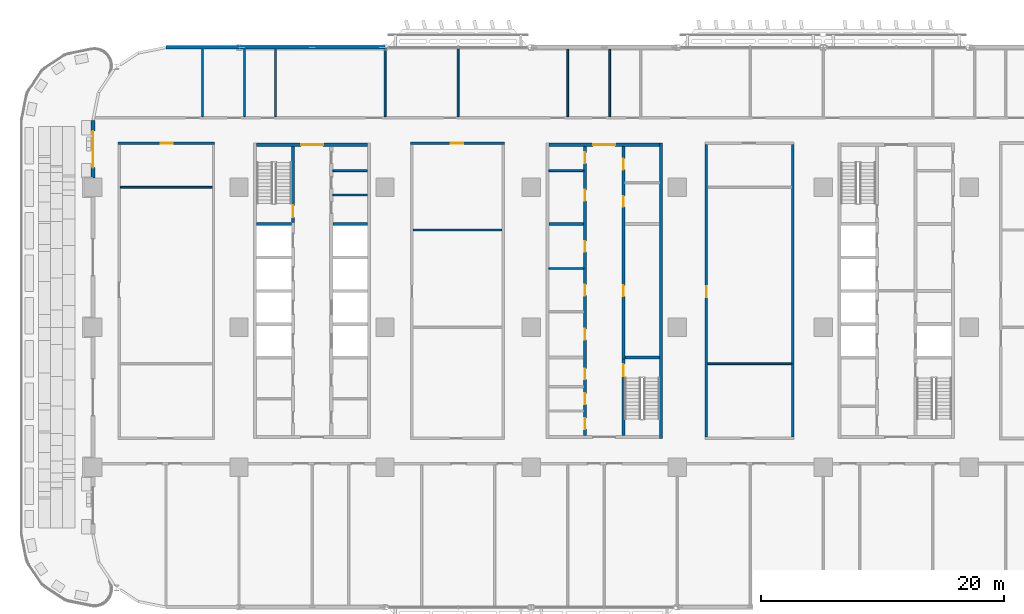
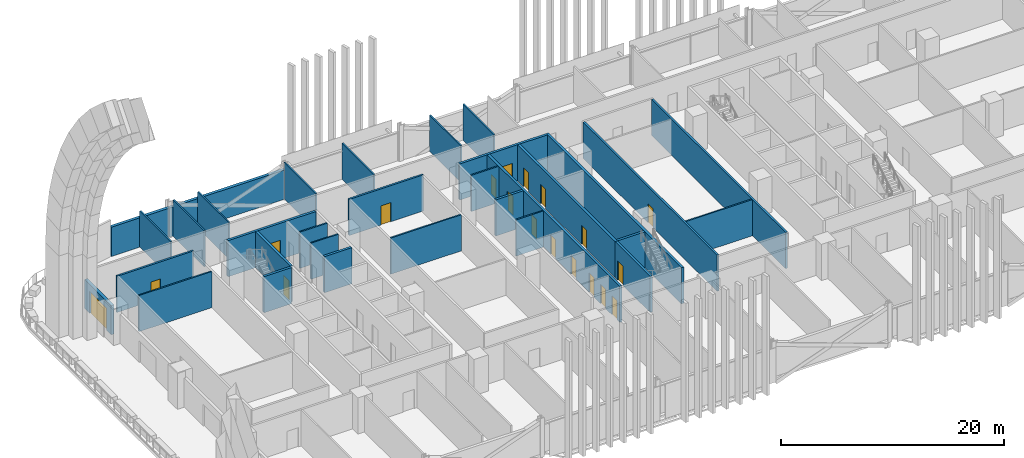
# One storey, part 11 of 29: 32 walls, 19 doors, 19 openings.
"""IFC4 building model written with IfcOpenShell, lengths in metres."""

from ifc_helpers import new_model, si_unit, direction, frame, frame_2d, origin, place, context, subcontext, project, spatial, rectangle, extrude, material, layer, layer_set, type_object, element, fill, save


model = new_model("IFC4")

# Units and contexts
model_context = context("Model", 3, precision=1e-05, world=origin(), true_north=direction((0.0, 1.0)))
body_context = subcontext(model_context, "Body", "Model", "MODEL_VIEW")
ifc_project = project(units=[si_unit("LENGTHUNIT", "METRE"), si_unit("AREAUNIT", "SQUARE_METRE"), si_unit("VOLUMEUNIT", "CUBIC_METRE"), si_unit("PLANEANGLEUNIT", "RADIAN"), si_unit("MASSUNIT", "GRAM", prefix="KILO")], contexts=[model_context])

# Site, building, storey
site_placement = place(None, origin())
site = spatial("IfcSite", under=ifc_project, at=site_placement, CompositionType="ELEMENT")
building_placement = place(site_placement, origin())
building = spatial("IfcBuilding", under=site, at=building_placement, Name="Mahtab Terrace Research Tower", CompositionType="ELEMENT")
storey_placement = place(building_placement, frame((0.0, 0.0, 46.0)))
storey = spatial("IfcBuildingStorey", under=building, at=storey_placement, Name="L10", CompositionType="ELEMENT", Elevation=46.0)

# Walls
ifc_material_1 = material(Name="Gypsum board partition")
ifc_layer_1 = layer(ifc_material_1, 0.14990234375)
ifc_layer_set_1 = layer_set([ifc_layer_1], Name="Core partition 150")
wall_type_1 = type_object("IfcWallType", Name="Core partition 150", PredefinedType="PARTITIONING", material=ifc_layer_set_1)
for number, where, z_axis, x_axis, name in (
    (1, (-22.300048828125, 10.875, 0.0), (0.0, 0.0, 1.0), (1.0, 0.0, 0.0), "Core wall A pEN788"),
    (2, (-22.300048828125, 12.875, 0.0), (0.0, 0.0, 1.0), (1.0, 0.0, 0.0), "Core wall A pEN988"),
    (3, (-4.550048828125, 4.827392578125, 0.0), (0.0, 0.0, 1.0), (1.0, 0.0, 0.0), "Core wall B pWL183"),
    (4, (-4.550048828125, 12.875, 0.0), (0.0, 0.0, 1.0), (1.0, 0.0, 0.0), "Core wall B pWN988"),
):
    element("IfcWall", number, at=place(storey_placement, frame(where, z_axis=z_axis, x_axis=x_axis)), inside=storey, type_object=wall_type_1, Name=name, PredefinedType="PARTITIONING", context=body_context, shape_type="SweptSolid", body=[
        extrude(rectangle(XDim=2.85009765625, YDim=0.14990234375, at=frame_2d((1.425048828125, 0.0))), origin(), (0.0, 0.0, 1.0), 3.9599609375),
    ])

# Wall, opening, door
ifc_material_2 = material(Name="Concrete C70/85", Category="concrete")
ifc_layer_2 = layer(ifc_material_2, 0.25)
ifc_layer_set_2 = layer_set([ifc_layer_2], Name="Core wall 250")
wall_type_2 = type_object("IfcWallType", Name="Core wall 250", PredefinedType="SOLIDWALL", material=ifc_layer_set_2)
wall_1_placement = place(storey_placement, frame((-28.550048828125, 15.0, 0.0), z_axis=(0.0, 0.0, 1.0), x_axis=(1.0, 0.0, 0.0)))
wall_1 = element("IfcWall", 5, at=wall_1_placement, inside=storey, type_object=wall_type_2, Name="Core wall A endN", PredefinedType="SOLIDWALL", context=body_context, shape_type="SweptSolid", body=[
    extrude(rectangle(XDim=9.10009765625, YDim=0.25, at=frame_2d((4.550048828125, 0.0))), origin(), (0.0, 0.0, 1.0), 3.9599609375),
])
opening_1_placement = place(wall_1_placement, frame((3.64990234375, 0.0, 0.0)))
opening_1 = element("IfcOpeningElement", 6, at=opening_1_placement, cuts=wall_1, Name="Opening A-N1", PredefinedType="OPENING", context=body_context, shape_type="SweptSolid", body=[
    extrude(rectangle(XDim=1.800048828125, YDim=2.10009765625, at=frame_2d((0.89990234375, 1.050048828125))), frame((0.0, 0.135009765625, 0.0), z_axis=(0.0, -1.0, 0.0), x_axis=(1.0, 0.0, 0.0)), (0.0, 0.0, 1.0), 0.27001953125),
])
ifc_material_3 = material(Name="Steel fire door", Category="steel")
door_type_1 = type_object("IfcDoorType", Name="Lobby double door 1800x2100 1 HR", OperationType="DOUBLE_DOOR_SINGLE_SWING", PredefinedType="DOOR", material=ifc_material_3)
door_1_placement = place(opening_1_placement, origin())
door_1 = element("IfcDoor", 7, at=door_1_placement, inside=storey, type_object=door_type_1, Name="Core entrance door A N", OperationType="DOUBLE_DOOR_SINGLE_SWING", OverallHeight=2.10009765625, OverallWidth=1.800048828125, PredefinedType="DOOR", context=body_context, shape_type="SweptSolid", body=[
    extrude(rectangle(XDim=1.800048828125, YDim=2.10009765625, at=frame_2d((0.89990234375, 1.050048828125))), frame((0.0, 0.02490234375, 0.0), z_axis=(0.0, -1.0, 0.0), x_axis=(1.0, 0.0, 0.0)), (0.0, 0.0, 1.0), 0.050048828125),
])
fill(opening_1, door_1)

wall_2_placement = place(storey_placement, frame((-25.574951171875, 14.875, 0.0), z_axis=(0.0, 0.0, 1.0), x_axis=(0.0, -1.0, 0.0)))
wall_2 = element("IfcWall", 8, at=wall_2_placement, inside=storey, type_object=wall_type_2, Name="Core wall A innerWN", PredefinedType="SOLIDWALL", context=body_context, shape_type="SweptSolid", body=[
    extrude(rectangle(XDim=6.25, YDim=0.25, at=frame_2d((3.125, 0.0))), origin(), (0.0, 0.0, 1.0), 3.9599609375),
])
opening_2_placement = place(wall_2_placement, frame((4.85009765625, 0.0, 0.0)))
opening_2 = element("IfcOpeningElement", 9, at=opening_2_placement, cuts=wall_2, Name="Opening A-ST1", PredefinedType="OPENING", context=body_context, shape_type="SweptSolid", body=[
    extrude(rectangle(XDim=1.0, YDim=2.10009765625, at=frame_2d((0.5, 1.050048828125))), frame((0.0, 0.135009765625, 0.0), z_axis=(0.0, -1.0, 0.0), x_axis=(1.0, 0.0, 0.0)), (0.0, 0.0, 1.0), 0.27001953125),
])
door_type_2 = type_object("IfcDoorType", Name="Stair door 1000x2100 1.5 HR", OperationType="NOTDEFINED", PredefinedType="DOOR", material=ifc_material_3)
door_2_placement = place(opening_2_placement, origin())
door_2 = element("IfcDoor", 10, at=door_2_placement, inside=storey, type_object=door_type_2, Name="Stair door ST1 L10", OperationType="SINGLE_SWING_RIGHT", OverallHeight=2.10009765625, OverallWidth=1.0, PredefinedType="DOOR", context=body_context, shape_type="SweptSolid", body=[
    extrude(rectangle(XDim=1.0, YDim=2.10009765625, at=frame_2d((0.5, 1.050048828125))), frame((0.0, 0.02490234375, 0.0), z_axis=(0.0, -1.0, 0.0), x_axis=(1.0, 0.0, 0.0)), (0.0, 0.0, 1.0), 0.050048828125),
])
fill(opening_2, door_2)

# Walls
for number, where, z_axis, x_axis, name in (
    (11, (-28.550048828125, 8.5, 0.0), (0.0, 0.0, 1.0), (1.0, 0.0, 0.0), "Core wall A divW4"),
    (12, (-22.300048828125, 8.5, 0.0), (0.0, 0.0, 1.0), (1.0, 0.0, 0.0), "Core wall A divE4"),
):
    element("IfcWall", number, at=place(storey_placement, frame(where, z_axis=z_axis, x_axis=x_axis)), inside=storey, type_object=wall_type_2, Name=name, PredefinedType="SOLIDWALL", context=body_context, shape_type="SweptSolid", body=[
        extrude(rectangle(XDim=2.85009765625, YDim=0.25, at=frame_2d((1.425048828125, 0.0))), origin(), (0.0, 0.0, 1.0), 3.9599609375),
    ])
wall_3_placement = place(storey_placement, frame((4.675048828125, -9.125, 0.0), z_axis=(0.0, 0.0, 1.0), x_axis=(0.0, 1.0, 0.0)))
element("IfcWall", 13, at=wall_3_placement, inside=storey, type_object=wall_type_2, Name="Core wall B outerE", PredefinedType="SOLIDWALL", context=body_context, shape_type="SweptSolid", body=[
    extrude(rectangle(XDim=24.25, YDim=0.25, at=frame_2d((12.125, 0.0))), origin(), (0.0, 0.0, 1.0), 3.9599609375),
])

# Wall, opening, door
wall_4_placement = place(storey_placement, frame((-4.550048828125, 15.0, 0.0), z_axis=(0.0, 0.0, 1.0), x_axis=(1.0, 0.0, 0.0)))
wall_4 = element("IfcWall", 14, at=wall_4_placement, inside=storey, type_object=wall_type_2, Name="Core wall B endN", PredefinedType="SOLIDWALL", context=body_context, shape_type="SweptSolid", body=[
    extrude(rectangle(XDim=9.10009765625, YDim=0.25, at=frame_2d((4.550048828125, 0.0))), origin(), (0.0, 0.0, 1.0), 3.9599609375),
])
opening_3_placement = place(wall_4_placement, frame((3.64990234375, 0.0, 0.0)))
opening_3 = element("IfcOpeningElement", 15, at=opening_3_placement, cuts=wall_4, Name="Opening B-N1", PredefinedType="OPENING", context=body_context, shape_type="SweptSolid", body=[
    extrude(rectangle(XDim=1.800048828125, YDim=2.10009765625, at=frame_2d((0.89990234375, 1.050048828125))), frame((0.0, 0.135009765625, 0.0), z_axis=(0.0, -1.0, 0.0), x_axis=(1.0, 0.0, 0.0)), (0.0, 0.0, 1.0), 0.27001953125),
])
door_3_placement = place(opening_3_placement, origin())
door_3 = element("IfcDoor", 16, at=door_3_placement, inside=storey, type_object=door_type_1, Name="Core entrance door B N", OperationType="DOUBLE_DOOR_SINGLE_SWING", OverallHeight=2.10009765625, OverallWidth=1.800048828125, PredefinedType="DOOR", context=body_context, shape_type="SweptSolid", body=[
    extrude(rectangle(XDim=1.800048828125, YDim=2.10009765625, at=frame_2d((0.89990234375, 1.050048828125))), frame((0.0, 0.02490234375, 0.0), z_axis=(0.0, -1.0, 0.0), x_axis=(1.0, 0.0, 0.0)), (0.0, 0.0, 1.0), 0.050048828125),
])
fill(opening_3, door_3)

# Wall, openings, doors
wall_5_placement = place(storey_placement, frame((-1.574951171875, -8.875, 0.0), z_axis=(0.0, 0.0, 1.0), x_axis=(0.0, 1.0, 0.0)))
wall_5 = element("IfcWall", 17, at=wall_5_placement, inside=storey, type_object=wall_type_2, Name="Core wall B innerWSLN", PredefinedType="SOLIDWALL", context=body_context, shape_type="SweptSolid", body=[
    extrude(rectangle(XDim=23.75, YDim=0.25, at=frame_2d((11.875, 0.0))), origin(), (0.0, 0.0, 1.0), 3.9599609375),
])
opening_4_placement = place(wall_5_placement, frame((7.840087890625, 0.0, 0.0)))
opening_4 = element("IfcOpeningElement", 18, at=opening_4_placement, cuts=wall_5, Name="Opening B-R1", PredefinedType="OPENING", context=body_context, shape_type="SweptSolid", body=[
    extrude(rectangle(XDim=0.89990234375, YDim=2.10009765625, at=frame_2d((0.449951171875, 1.050048828125))), frame((0.0, 0.135009765625, 0.0), z_axis=(0.0, -1.0, 0.0), x_axis=(1.0, 0.0, 0.0)), (0.0, 0.0, 1.0), 0.27001953125),
])
opening_5_placement = place(wall_5_placement, frame((11.478759765625, 0.0, 0.0)))
opening_5 = element("IfcOpeningElement", 19, at=opening_5_placement, cuts=wall_5, Name="Opening B-R2", PredefinedType="OPENING", context=body_context, shape_type="SweptSolid", body=[
    extrude(rectangle(XDim=0.89990234375, YDim=2.10009765625, at=frame_2d((0.449951171875, 1.050048828125))), frame((0.0, 0.135009765625, 0.0), z_axis=(0.0, -1.0, 0.0), x_axis=(1.0, 0.0, 0.0)), (0.0, 0.0, 1.0), 0.27001953125),
])
opening_6_placement = place(wall_5_placement, frame((15.063720703125, 0.0, 0.0)))
opening_6 = element("IfcOpeningElement", 20, at=opening_6_placement, cuts=wall_5, Name="Opening B-R3", PredefinedType="OPENING", context=body_context, shape_type="SweptSolid", body=[
    extrude(rectangle(XDim=0.89990234375, YDim=2.10009765625, at=frame_2d((0.449951171875, 1.050048828125))), frame((0.0, 0.135009765625, 0.0), z_axis=(0.0, -1.0, 0.0), x_axis=(1.0, 0.0, 0.0)), (0.0, 0.0, 1.0), 0.27001953125),
])
opening_7_placement = place(wall_5_placement, frame((0.512451171875, 0.0, 0.0)))
opening_7 = element("IfcOpeningElement", 21, at=opening_7_placement, cuts=wall_5, Name="Opening B-R5", PredefinedType="OPENING", context=body_context, shape_type="SweptSolid", body=[
    extrude(rectangle(XDim=0.89990234375, YDim=2.10009765625, at=frame_2d((0.449951171875, 1.050048828125))), frame((0.0, 0.135009765625, 0.0), z_axis=(0.0, -1.0, 0.0), x_axis=(1.0, 0.0, 0.0)), (0.0, 0.0, 1.0), 0.27001953125),
])
opening_8_placement = place(wall_5_placement, frame((2.550048828125, 0.0, 0.0)))
opening_8 = element("IfcOpeningElement", 22, at=opening_8_placement, cuts=wall_5, Name="Opening B-R6", PredefinedType="OPENING", context=body_context, shape_type="SweptSolid", body=[
    extrude(rectangle(XDim=0.89990234375, YDim=2.10009765625, at=frame_2d((0.449951171875, 1.050048828125))), frame((0.0, 0.135009765625, 0.0), z_axis=(0.0, -1.0, 0.0), x_axis=(1.0, 0.0, 0.0)), (0.0, 0.0, 1.0), 0.27001953125),
])
opening_9_placement = place(wall_5_placement, frame((4.58740234375, 0.0, 0.0)))
opening_9 = element("IfcOpeningElement", 23, at=opening_9_placement, cuts=wall_5, Name="Opening B-R7", PredefinedType="OPENING", context=body_context, shape_type="SweptSolid", body=[
    extrude(rectangle(XDim=0.89990234375, YDim=2.10009765625, at=frame_2d((0.449951171875, 1.050048828125))), frame((0.0, 0.135009765625, 0.0), z_axis=(0.0, -1.0, 0.0), x_axis=(1.0, 0.0, 0.0)), (0.0, 0.0, 1.0), 0.27001953125),
])
opening_10_placement = place(wall_5_placement, frame((19.262451171875, 0.0, 0.0)))
opening_10 = element("IfcOpeningElement", 24, at=opening_10_placement, cuts=wall_5, Name="Opening B-R8", PredefinedType="OPENING", context=body_context, shape_type="SweptSolid", body=[
    extrude(rectangle(XDim=0.89990234375, YDim=2.10009765625, at=frame_2d((0.449951171875, 1.050048828125))), frame((0.0, 0.135009765625, 0.0), z_axis=(0.0, -1.0, 0.0), x_axis=(1.0, 0.0, 0.0)), (0.0, 0.0, 1.0), 0.27001953125),
])
opening_11_placement = place(wall_5_placement, frame((22.33740234375, 0.0, 0.0)))
opening_11 = element("IfcOpeningElement", 25, at=opening_11_placement, cuts=wall_5, Name="Opening B-R9", PredefinedType="OPENING", context=body_context, shape_type="SweptSolid", body=[
    extrude(rectangle(XDim=0.89990234375, YDim=2.10009765625, at=frame_2d((0.449951171875, 1.050048828125))), frame((0.0, 0.135009765625, 0.0), z_axis=(0.0, -1.0, 0.0), x_axis=(1.0, 0.0, 0.0)), (0.0, 0.0, 1.0), 0.27001953125),
])
door_type_3 = type_object("IfcDoorType", Name="Room door 900x2100 1 HR", OperationType="NOTDEFINED", PredefinedType="DOOR", material=ifc_material_3)
door_4_placement = place(opening_4_placement, origin())
door_4 = element("IfcDoor", 26, at=door_4_placement, inside=storey, type_object=door_type_3, Name="Battery room door", OperationType="SINGLE_SWING_LEFT", OverallHeight=2.10009765625, OverallWidth=0.89990234375, PredefinedType="DOOR", context=body_context, shape_type="SweptSolid", body=[
    extrude(rectangle(XDim=0.89990234375, YDim=2.10009765625, at=frame_2d((0.449951171875, 1.050048828125))), frame((0.0, 0.02490234375, 0.0), z_axis=(0.0, -1.0, 0.0), x_axis=(1.0, 0.0, 0.0)), (0.0, 0.0, 1.0), 0.050048828125),
])
fill(opening_4, door_4)
door_5_placement = place(opening_5_placement, origin())
door_5 = element("IfcDoor", 27, at=door_5_placement, inside=storey, type_object=door_type_3, Name="Cooling plant room door", OperationType="SINGLE_SWING_RIGHT", OverallHeight=2.10009765625, OverallWidth=0.89990234375, PredefinedType="DOOR", context=body_context, shape_type="SweptSolid", body=[
    extrude(rectangle(XDim=0.89990234375, YDim=2.10009765625, at=frame_2d((0.449951171875, 1.050048828125))), frame((0.0, 0.02490234375, 0.0), z_axis=(0.0, -1.0, 0.0), x_axis=(1.0, 0.0, 0.0)), (0.0, 0.0, 1.0), 0.050048828125),
])
fill(opening_5, door_5)
door_6_placement = place(opening_6_placement, origin())
door_6 = element("IfcDoor", 28, at=door_6_placement, inside=storey, type_object=door_type_3, Name="Spare parts store door", OperationType="SINGLE_SWING_LEFT", OverallHeight=2.10009765625, OverallWidth=0.89990234375, PredefinedType="DOOR", context=body_context, shape_type="SweptSolid", body=[
    extrude(rectangle(XDim=0.89990234375, YDim=2.10009765625, at=frame_2d((0.449951171875, 1.050048828125))), frame((0.0, 0.02490234375, 0.0), z_axis=(0.0, -1.0, 0.0), x_axis=(1.0, 0.0, 0.0)), (0.0, 0.0, 1.0), 0.050048828125),
])
fill(opening_6, door_6)
door_7_placement = place(opening_7_placement, origin())
door_7 = element("IfcDoor", 29, at=door_7_placement, inside=storey, type_object=door_type_3, Name="Comms riser room door", OperationType="SINGLE_SWING_LEFT", OverallHeight=2.10009765625, OverallWidth=0.89990234375, PredefinedType="DOOR", context=body_context, shape_type="SweptSolid", body=[
    extrude(rectangle(XDim=0.89990234375, YDim=2.10009765625, at=frame_2d((0.449951171875, 1.050048828125))), frame((0.0, 0.02490234375, 0.0), z_axis=(0.0, -1.0, 0.0), x_axis=(1.0, 0.0, 0.0)), (0.0, 0.0, 1.0), 0.050048828125),
])
fill(opening_7, door_7)
door_8_placement = place(opening_8_placement, origin())
door_8 = element("IfcDoor", 30, at=door_8_placement, inside=storey, type_object=door_type_3, Name="Pantry door", OperationType="SINGLE_SWING_RIGHT", OverallHeight=2.10009765625, OverallWidth=0.89990234375, PredefinedType="DOOR", context=body_context, shape_type="SweptSolid", body=[
    extrude(rectangle(XDim=0.89990234375, YDim=2.10009765625, at=frame_2d((0.449951171875, 1.050048828125))), frame((0.0, 0.02490234375, 0.0), z_axis=(0.0, -1.0, 0.0), x_axis=(1.0, 0.0, 0.0)), (0.0, 0.0, 1.0), 0.050048828125),
])
fill(opening_8, door_8)
door_9_placement = place(opening_9_placement, origin())
door_9 = element("IfcDoor", 31, at=door_9_placement, inside=storey, type_object=door_type_3, Name="Cleaners store door", OperationType="SINGLE_SWING_LEFT", OverallHeight=2.10009765625, OverallWidth=0.89990234375, PredefinedType="DOOR", context=body_context, shape_type="SweptSolid", body=[
    extrude(rectangle(XDim=0.89990234375, YDim=2.10009765625, at=frame_2d((0.449951171875, 1.050048828125))), frame((0.0, 0.02490234375, 0.0), z_axis=(0.0, -1.0, 0.0), x_axis=(1.0, 0.0, 0.0)), (0.0, 0.0, 1.0), 0.050048828125),
])
fill(opening_9, door_9)
door_10_placement = place(opening_10_placement, origin())
door_10 = element("IfcDoor", 32, at=door_10_placement, inside=storey, type_object=door_type_3, Name="IT equipment room door", OperationType="SINGLE_SWING_RIGHT", OverallHeight=2.10009765625, OverallWidth=0.89990234375, PredefinedType="DOOR", context=body_context, shape_type="SweptSolid", body=[
    extrude(rectangle(XDim=0.89990234375, YDim=2.10009765625, at=frame_2d((0.449951171875, 1.050048828125))), frame((0.0, 0.02490234375, 0.0), z_axis=(0.0, -1.0, 0.0), x_axis=(1.0, 0.0, 0.0)), (0.0, 0.0, 1.0), 0.050048828125),
])
fill(opening_10, door_10)
door_11_placement = place(opening_11_placement, origin())
door_11 = element("IfcDoor", 33, at=door_11_placement, inside=storey, type_object=door_type_3, Name="Electrical riser room door", OperationType="SINGLE_SWING_LEFT", OverallHeight=2.10009765625, OverallWidth=0.89990234375, PredefinedType="DOOR", context=body_context, shape_type="SweptSolid", body=[
    extrude(rectangle(XDim=0.89990234375, YDim=2.10009765625, at=frame_2d((0.449951171875, 1.050048828125))), frame((0.0, 0.02490234375, 0.0), z_axis=(0.0, -1.0, 0.0), x_axis=(1.0, 0.0, 0.0)), (0.0, 0.0, 1.0), 0.050048828125),
])
fill(opening_11, door_11)

# Wall, opening, door
wall_6_placement = place(storey_placement, frame((1.574951171875, -8.875, 0.0), z_axis=(0.0, 0.0, 1.0), x_axis=(0.0, 1.0, 0.0)))
wall_6 = element("IfcWall", 34, at=wall_6_placement, inside=storey, type_object=wall_type_2, Name="Core wall B innerES", PredefinedType="SOLIDWALL", context=body_context, shape_type="SweptSolid", body=[
    extrude(rectangle(XDim=6.25, YDim=0.25, at=frame_2d((3.125, 0.0))), origin(), (0.0, 0.0, 1.0), 3.9599609375),
])
opening_12_placement = place(wall_6_placement, frame((4.85009765625, 0.0, 0.0)))
opening_12 = element("IfcOpeningElement", 35, at=opening_12_placement, cuts=wall_6, Name="Opening B-ST2", PredefinedType="OPENING", context=body_context, shape_type="SweptSolid", body=[
    extrude(rectangle(XDim=1.0, YDim=2.10009765625, at=frame_2d((0.5, 1.050048828125))), frame((0.0, 0.135009765625, 0.0), z_axis=(0.0, -1.0, 0.0), x_axis=(1.0, 0.0, 0.0)), (0.0, 0.0, 1.0), 0.27001953125),
])
door_12_placement = place(opening_12_placement, origin())
door_12 = element("IfcDoor", 36, at=door_12_placement, inside=storey, type_object=door_type_2, Name="Stair door ST2 L10", OperationType="SINGLE_SWING_RIGHT", OverallHeight=2.10009765625, OverallWidth=1.0, PredefinedType="DOOR", context=body_context, shape_type="SweptSolid", body=[
    extrude(rectangle(XDim=1.0, YDim=2.10009765625, at=frame_2d((0.5, 1.050048828125))), frame((0.0, 0.02490234375, 0.0), z_axis=(0.0, -1.0, 0.0), x_axis=(1.0, 0.0, 0.0)), (0.0, 0.0, 1.0), 0.050048828125),
])
fill(opening_12, door_12)

# Wall, openings, doors
wall_7_placement = place(storey_placement, frame((1.574951171875, 14.875, 0.0), z_axis=(0.0, 0.0, 1.0), x_axis=(0.0, -1.0, 0.0)))
wall_7 = element("IfcWall", 37, at=wall_7_placement, inside=storey, type_object=wall_type_2, Name="Core wall B innerELN", PredefinedType="SOLIDWALL", context=body_context, shape_type="SweptSolid", body=[
    extrude(rectangle(XDim=17.5, YDim=0.25, at=frame_2d((8.75, 0.0))), origin(), (0.0, 0.0, 1.0), 3.9599609375),
])
opening_13_placement = place(wall_7_placement, frame((11.425048828125, 0.0, 0.0)))
opening_13 = element("IfcOpeningElement", 38, at=opening_13_placement, cuts=wall_7, Name="Opening B-R4", PredefinedType="OPENING", context=body_context, shape_type="SweptSolid", body=[
    extrude(rectangle(XDim=0.89990234375, YDim=2.10009765625, at=frame_2d((0.449951171875, 1.050048828125))), frame((0.0, 0.135009765625, 0.0), z_axis=(0.0, -1.0, 0.0), x_axis=(1.0, 0.0, 0.0)), (0.0, 0.0, 1.0), 0.27001953125),
])
opening_14_placement = place(wall_7_placement, frame((4.08740234375, 0.0, 0.0)))
opening_14 = element("IfcOpeningElement", 39, at=opening_14_placement, cuts=wall_7, Name="Opening B-R10", PredefinedType="OPENING", context=body_context, shape_type="SweptSolid", body=[
    extrude(rectangle(XDim=0.89990234375, YDim=2.10009765625, at=frame_2d((0.449951171875, 1.050048828125))), frame((0.0, 0.135009765625, 0.0), z_axis=(0.0, -1.0, 0.0), x_axis=(1.0, 0.0, 0.0)), (0.0, 0.0, 1.0), 0.27001953125),
])
opening_15_placement = place(wall_7_placement, frame((1.012451171875, 0.0, 0.0)))
opening_15 = element("IfcOpeningElement", 40, at=opening_15_placement, cuts=wall_7, Name="Opening B-R11", PredefinedType="OPENING", context=body_context, shape_type="SweptSolid", body=[
    extrude(rectangle(XDim=0.89990234375, YDim=2.10009765625, at=frame_2d((0.449951171875, 1.050048828125))), frame((0.0, 0.135009765625, 0.0), z_axis=(0.0, -1.0, 0.0), x_axis=(1.0, 0.0, 0.0)), (0.0, 0.0, 1.0), 0.27001953125),
])
door_13_placement = place(opening_13_placement, origin())
door_13 = element("IfcDoor", 41, at=door_13_placement, inside=storey, type_object=door_type_3, Name="Plant room door", OperationType="SINGLE_SWING_RIGHT", OverallHeight=2.10009765625, OverallWidth=0.89990234375, PredefinedType="DOOR", context=body_context, shape_type="SweptSolid", body=[
    extrude(rectangle(XDim=0.89990234375, YDim=2.10009765625, at=frame_2d((0.449951171875, 1.050048828125))), frame((0.0, 0.02490234375, 0.0), z_axis=(0.0, -1.0, 0.0), x_axis=(1.0, 0.0, 0.0)), (0.0, 0.0, 1.0), 0.050048828125),
])
fill(opening_13, door_13)
door_14_placement = place(opening_14_placement, origin())
door_14 = element("IfcDoor", 42, at=door_14_placement, inside=storey, type_object=door_type_3, Name="Staff WC door", OperationType="SINGLE_SWING_RIGHT", OverallHeight=2.10009765625, OverallWidth=0.89990234375, PredefinedType="DOOR", context=body_context, shape_type="SweptSolid", body=[
    extrude(rectangle(XDim=0.89990234375, YDim=2.10009765625, at=frame_2d((0.449951171875, 1.050048828125))), frame((0.0, 0.02490234375, 0.0), z_axis=(0.0, -1.0, 0.0), x_axis=(1.0, 0.0, 0.0)), (0.0, 0.0, 1.0), 0.050048828125),
])
fill(opening_14, door_14)
door_15_placement = place(opening_15_placement, origin())
door_15 = element("IfcDoor", 43, at=door_15_placement, inside=storey, type_object=door_type_3, Name="Accessible WC door", OperationType="SINGLE_SWING_LEFT", OverallHeight=2.10009765625, OverallWidth=0.89990234375, PredefinedType="DOOR", context=body_context, shape_type="SweptSolid", body=[
    extrude(rectangle(XDim=0.89990234375, YDim=2.10009765625, at=frame_2d((0.449951171875, 1.050048828125))), frame((0.0, 0.02490234375, 0.0), z_axis=(0.0, -1.0, 0.0), x_axis=(1.0, 0.0, 0.0)), (0.0, 0.0, 1.0), 0.050048828125),
])
fill(opening_15, door_15)

# Walls
for number, where, z_axis, x_axis, name in (
    (44, (-4.550048828125, 8.5, 0.0), (0.0, 0.0, 1.0), (1.0, 0.0, 0.0), "Core wall B divW4"),
    (45, (1.699951171875, -2.5, 0.0), (0.0, 0.0, 1.0), (1.0, 0.0, 0.0), "Core wall B divE0"),
):
    element("IfcWall", number, at=place(storey_placement, frame(where, z_axis=z_axis, x_axis=x_axis)), inside=storey, type_object=wall_type_2, Name=name, PredefinedType="SOLIDWALL", context=body_context, shape_type="SweptSolid", body=[
        extrude(rectangle(XDim=2.85009765625, YDim=0.25, at=frame_2d((1.425048828125, 0.0))), origin(), (0.0, 0.0, 1.0), 3.9599609375),
    ])
ifc_material_4 = material(Name="Black aluminium cladding panel", Category="aluminium")
ifc_layer_3 = layer(ifc_material_4, 0.300048828125)
ifc_layer_set_3 = layer_set([ifc_layer_3], Name="Opaque facade wall 300")
wall_type_3 = type_object("IfcWallType", Name="Opaque facade wall 300", PredefinedType="NOTDEFINED", material=ifc_layer_set_3)
wall_8_placement = place(storey_placement, frame((-18.02392578125, 23.0, 0.0), z_axis=(0.0, 0.0, 1.0), x_axis=(-1.0, 0.0, 0.0)))
element("IfcWall", 46, at=wall_8_placement, inside=storey, type_object=wall_type_3, Name="Opaque facade wall L10 N9", PredefinedType="NOTDEFINED", context=body_context, shape_type="SweptSolid", body=[
    extrude(rectangle(XDim=11.9521484375, YDim=0.300048828125, at=frame_2d((5.97607421875, 0.0))), origin(), (0.0, 0.0, 1.0), 3.203125),
])
wall_9_placement = place(storey_placement, frame((-30.02392578125, 23.0, 0.0), z_axis=(0.0, 0.0, 1.0), x_axis=(-1.0, 0.0, 0.0)))
element("IfcWall", 47, at=wall_9_placement, inside=storey, type_object=wall_type_3, Name="Opaque facade wall L10 N10", PredefinedType="NOTDEFINED", context=body_context, shape_type="SweptSolid", body=[
    extrude(rectangle(XDim=5.97607421875, YDim=0.300048828125, at=frame_2d((2.988037109375, 0.0))), origin(), (0.0, 0.0, 1.0), 3.203125),
])

# Wall, opening, door
wall_10_placement = place(storey_placement, frame((-42.0, 17.0, 0.0), z_axis=(0.0, 0.0, 1.0), x_axis=(0.0, -1.0, 0.0)))
wall_10 = element("IfcWall", 48, at=wall_10_placement, inside=storey, type_object=wall_type_3, Name="Opaque facade wall L10 W15", PredefinedType="NOTDEFINED", context=body_context, shape_type="SweptSolid", body=[
    extrude(rectangle(XDim=4.75, YDim=0.300048828125, at=frame_2d((2.375, 0.0))), origin(), (0.0, 0.0, 1.0), 3.203125),
])
opening_16_placement = place(wall_10_placement, frame((0.875, 0.0, 0.0)))
opening_16 = element("IfcOpeningElement", 49, at=opening_16_placement, cuts=wall_10, Name="Opening ED1", PredefinedType="OPENING", context=body_context, shape_type="SweptSolid", body=[
    extrude(rectangle(XDim=3.0, YDim=2.39990234375, at=frame_2d((1.5, 1.199951171875))), frame((0.0, 0.159912109375, 0.0), z_axis=(0.0, -1.0, 0.0), x_axis=(1.0, 0.0, 0.0)), (0.0, 0.0, 1.0), 0.320068359375),
])
ifc_material_5 = material(Name="Black anodised aluminium", Category="aluminium")
door_type_4 = type_object("IfcDoorType", Name="Terrace double door 3000x2400", OperationType="DOUBLE_DOOR_DOUBLE_SWING", PredefinedType="DOOR", material=ifc_material_5)
door_16_placement = place(opening_16_placement, origin())
door_16 = element("IfcDoor", 50, at=door_16_placement, inside=storey, type_object=door_type_4, Name="Terrace door L10 W", OperationType="SINGLE_SWING_LEFT", OverallHeight=2.39990234375, OverallWidth=3.0, PredefinedType="DOOR", context=body_context, shape_type="SweptSolid", body=[
    extrude(rectangle(XDim=3.0, YDim=2.39990234375, at=frame_2d((1.5, 1.199951171875))), frame((0.0, 0.02490234375, 0.0), z_axis=(0.0, -1.0, 0.0), x_axis=(1.0, 0.0, 0.0)), (0.0, 0.0, 1.0), 0.050048828125),
])
fill(opening_16, door_16)

ifc_material_6 = material(Name="Gypsum board corridor wall on steel studs", Category="steel")
ifc_layer_4 = layer(ifc_material_6, 0.199951171875)
ifc_layer_set_4 = layer_set([ifc_layer_4], Name="WALL CORRIDOR 200")
wall_type_4 = type_object("IfcWallType", Name="WALL CORRIDOR 200", PredefinedType="PARTITIONING", material=ifc_layer_set_4)
wall_11_placement = place(storey_placement, frame((-39.949951171875, 15.125, 0.0), z_axis=(0.0, 0.0, 1.0), x_axis=(1.0, 0.0, 0.0)))
wall_11 = element("IfcWall", 51, at=wall_11_placement, inside=storey, type_object=wall_type_4, Name="L10-W022", PredefinedType="PARTITIONING", context=body_context, shape_type="SweptSolid", body=[
    extrude(rectangle(XDim=7.949951171875, YDim=0.199951171875, at=frame_2d((3.97509765625, 0.0))), origin(), (0.0, 0.0, 1.0), 3.9599609375),
])
opening_17_placement = place(wall_11_placement, frame((3.5, 0.0, 0.0)))
opening_17 = element("IfcOpeningElement", 52, at=opening_17_placement, cuts=wall_11, Name="Opening L10-132", PredefinedType="OPENING", context=body_context, shape_type="SweptSolid", body=[
    extrude(rectangle(XDim=1.0, YDim=2.10009765625, at=frame_2d((0.5, 1.050048828125))), frame((0.0, 0.10986328125, 0.0), z_axis=(0.0, -1.0, 0.0), x_axis=(1.0, 0.0, 0.0)), (0.0, 0.0, 1.0), 0.219970703125),
])
ifc_material_7 = material(Name="Timber door leaf in steel frame", Category="steel")
door_type_5 = type_object("IfcDoorType", Name="DOOR 1000X2100 FD30S", OperationType="SINGLE_SWING_LEFT", PredefinedType="DOOR", material=ifc_material_7)
door_17_placement = place(opening_17_placement, origin())
door_17 = element("IfcDoor", 53, at=door_17_placement, inside=storey, type_object=door_type_5, Name="Door L10-132", OperationType="SINGLE_SWING_LEFT", OverallHeight=2.10009765625, OverallWidth=1.0, PredefinedType="DOOR", context=body_context, shape_type="SweptSolid", body=[
    extrude(rectangle(XDim=1.0, YDim=2.10009765625, at=frame_2d((0.5, 1.050048828125))), frame((0.0, 0.02490234375, 0.0), z_axis=(0.0, -1.0, 0.0), x_axis=(1.0, 0.0, 0.0)), (0.0, 0.0, 1.0), 0.050048828125),
])
fill(opening_17, door_17)

wall_12_placement = place(storey_placement, frame((-15.89990234375, 15.125, 0.0), z_axis=(0.0, 0.0, 1.0), x_axis=(1.0, 0.0, 0.0)))
wall_12 = element("IfcWall", 54, at=wall_12_placement, inside=storey, type_object=wall_type_4, Name="L10-W023", PredefinedType="PARTITIONING", context=body_context, shape_type="SweptSolid", body=[
    extrude(rectangle(XDim=7.699951171875, YDim=0.199951171875, at=frame_2d((3.85009765625, 0.0))), origin(), (0.0, 0.0, 1.0), 3.9599609375),
])
opening_18_placement = place(wall_12_placement, frame((3.300048828125, 0.0, 0.0)))
opening_18 = element("IfcOpeningElement", 55, at=opening_18_placement, cuts=wall_12, Name="Opening L10-129", PredefinedType="OPENING", context=body_context, shape_type="SweptSolid", body=[
    extrude(rectangle(XDim=1.0, YDim=2.10009765625, at=frame_2d((0.5, 1.050048828125))), frame((0.0, 0.10986328125, 0.0), z_axis=(0.0, -1.0, 0.0), x_axis=(1.0, 0.0, 0.0)), (0.0, 0.0, 1.0), 0.219970703125),
])
door_18_placement = place(opening_18_placement, origin())
door_18 = element("IfcDoor", 56, at=door_18_placement, inside=storey, type_object=door_type_5, Name="Door L10-129", OperationType="SINGLE_SWING_RIGHT", OverallHeight=2.10009765625, OverallWidth=1.0, PredefinedType="DOOR", context=body_context, shape_type="SweptSolid", body=[
    extrude(rectangle(XDim=1.0, YDim=2.10009765625, at=frame_2d((0.5, 1.050048828125))), frame((0.0, 0.02490234375, 0.0), z_axis=(0.0, -1.0, 0.0), x_axis=(1.0, 0.0, 0.0)), (0.0, 0.0, 1.0), 0.050048828125),
])
fill(opening_18, door_18)

wall_13_placement = place(storey_placement, frame((8.39990234375, -9.02490234375, 0.0), z_axis=(0.0, 0.0, 1.0), x_axis=(0.0, 1.0, 0.0)))
wall_13 = element("IfcWall", 57, at=wall_13_placement, inside=storey, type_object=wall_type_4, Name="L10-W048", PredefinedType="PARTITIONING", context=body_context, shape_type="SweptSolid", body=[
    extrude(rectangle(XDim=24.0498046875, YDim=0.199951171875, at=frame_2d((12.02490234375, 0.0))), origin(), (0.0, 0.0, 1.0), 3.9599609375),
])
opening_19_placement = place(wall_13_placement, frame((11.5, 0.0, 0.0)))
opening_19 = element("IfcOpeningElement", 58, at=opening_19_placement, cuts=wall_13, Name="Opening L10-126", PredefinedType="OPENING", context=body_context, shape_type="SweptSolid", body=[
    extrude(rectangle(XDim=0.89990234375, YDim=2.10009765625, at=frame_2d((0.449951171875, 1.050048828125))), frame((0.0, 0.10986328125, 0.0), z_axis=(0.0, -1.0, 0.0), x_axis=(1.0, 0.0, 0.0)), (0.0, 0.0, 1.0), 0.219970703125),
])
door_type_6 = type_object("IfcDoorType", Name="DOOR 0900X2100 FD30S", OperationType="SINGLE_SWING_LEFT", PredefinedType="DOOR", material=ifc_material_7)
door_19_placement = place(opening_19_placement, origin())
door_19 = element("IfcDoor", 59, at=door_19_placement, inside=storey, type_object=door_type_6, Name="Door L10-126", OperationType="SINGLE_SWING_RIGHT", OverallHeight=2.10009765625, OverallWidth=0.89990234375, PredefinedType="DOOR", context=body_context, shape_type="SweptSolid", body=[
    extrude(rectangle(XDim=0.89990234375, YDim=2.10009765625, at=frame_2d((0.449951171875, 1.050048828125))), frame((0.0, 0.02490234375, 0.0), z_axis=(0.0, -1.0, 0.0), x_axis=(1.0, 0.0, 0.0)), (0.0, 0.0, 1.0), 0.050048828125),
])
fill(opening_19, door_19)

# Walls
wall_14_placement = place(storey_placement, frame((15.5, -9.02490234375, 0.0), z_axis=(0.0, 0.0, 1.0), x_axis=(0.0, 1.0, 0.0)))
element("IfcWall", 60, at=wall_14_placement, inside=storey, type_object=wall_type_4, Name="L10-W051", PredefinedType="PARTITIONING", context=body_context, shape_type="SweptSolid", body=[
    extrude(rectangle(XDim=24.0498046875, YDim=0.199951171875, at=frame_2d((12.02490234375, 0.0))), origin(), (0.0, 0.0, 1.0), 3.9599609375),
])
ifc_material_8 = material(Name="Gypsum board partition on steel studs", Category="steel")
ifc_layer_5 = layer(ifc_material_8, 0.14990234375)
ifc_layer_set_5 = layer_set([ifc_layer_5], Name="WALL PARTITION 150")
wall_type_5 = type_object("IfcWallType", Name="WALL PARTITION 150", PredefinedType="PARTITIONING", material=ifc_layer_set_5)
wall_15_placement = place(storey_placement, frame((8.5, -3.0, 0.0), z_axis=(0.0, 0.0, 1.0), x_axis=(1.0, 0.0, 0.0)))
element("IfcWall", 61, at=wall_15_placement, inside=storey, type_object=wall_type_5, Name="L10-W014", PredefinedType="PARTITIONING", context=body_context, shape_type="SweptSolid", body=[
    extrude(rectangle(XDim=6.89990234375, YDim=0.14990234375, at=frame_2d((3.449951171875, 0.0))), origin(), (0.0, 0.0, 1.0), 3.9599609375),
])
wall_16_placement = place(storey_placement, frame((-15.699951171875, 8.0, 0.0), z_axis=(0.0, 0.0, 1.0), x_axis=(1.0, 0.0, 0.0)))
element("IfcWall", 62, at=wall_16_placement, inside=storey, type_object=wall_type_5, Name="L10-W018", PredefinedType="PARTITIONING", context=body_context, shape_type="SweptSolid", body=[
    extrude(rectangle(XDim=7.300048828125, YDim=0.14990234375, at=frame_2d((3.64990234375, 0.0))), origin(), (0.0, 0.0, 1.0), 3.9599609375),
])
wall_17_placement = place(storey_placement, frame((-39.75, 11.5, 0.0), z_axis=(0.0, 0.0, 1.0), x_axis=(1.0, 0.0, 0.0)))
element("IfcWall", 63, at=wall_17_placement, inside=storey, type_object=wall_type_5, Name="L10-W020", PredefinedType="PARTITIONING", context=body_context, shape_type="SweptSolid", body=[
    extrude(rectangle(XDim=7.550048828125, YDim=0.14990234375, at=frame_2d((3.77490234375, 0.0))), origin(), (0.0, 0.0, 1.0), 3.9599609375),
])
for number, where, z_axis, x_axis, name in (
    (64, (-33.0, 17.300048828125, 0.0), (0.0, 0.0, 1.0), (0.0, 1.0, 0.0), "L10-W029"),
    (65, (-29.550048828125, 17.300048828125, 0.0), (0.0, 0.0, 1.0), (0.0, 1.0, 0.0), "L10-W032"),
    (66, (-27.0, 17.300048828125, 0.0), (0.0, 0.0, 1.0), (0.0, 1.0, 0.0), "L10-W033"),
):
    element("IfcWall", number, at=place(storey_placement, frame(where, z_axis=z_axis, x_axis=x_axis)), inside=storey, type_object=wall_type_5, Name=name, PredefinedType="PARTITIONING", context=body_context, shape_type="SweptSolid", body=[
        extrude(rectangle(XDim=5.550048828125, YDim=0.14990234375, at=frame_2d((2.77490234375, 0.0))), origin(), (0.0, 0.0, 1.0), 3.9599609375),
    ])
for number, where, z_axis, x_axis, name in (
    (67, (-18.0, 17.300048828125, 0.0), (0.0, 0.0, 1.0), (0.0, 1.0, 0.0), "L10-W036"),
    (68, (-12.0, 17.300048828125, 0.0), (0.0, 0.0, 1.0), (0.0, 1.0, 0.0), "L10-W039"),
):
    element("IfcWall", number, at=place(storey_placement, frame(where, z_axis=z_axis, x_axis=x_axis)), inside=storey, type_object=wall_type_5, Name=name, PredefinedType="PARTITIONING", context=body_context, shape_type="SweptSolid", body=[
        extrude(rectangle(XDim=5.675048828125, YDim=0.14990234375, at=frame_2d((2.83740234375, 0.0))), origin(), (0.0, 0.0, 1.0), 3.9599609375),
    ])
for number, where, z_axis, x_axis, name in (
    (69, (-3.0, 17.300048828125, 0.0), (0.0, 0.0, 1.0), (0.0, 1.0, 0.0), "L10-W043"),
    (70, (0.449951171875, 17.300048828125, 0.0), (0.0, 0.0, 1.0), (0.0, 1.0, 0.0), "L10-W045"),
):
    element("IfcWall", number, at=place(storey_placement, frame(where, z_axis=z_axis, x_axis=x_axis)), inside=storey, type_object=wall_type_5, Name=name, PredefinedType="PARTITIONING", context=body_context, shape_type="SweptSolid", body=[
        extrude(rectangle(XDim=5.550048828125, YDim=0.14990234375, at=frame_2d((2.77490234375, 0.0))), origin(), (0.0, 0.0, 1.0), 3.9599609375),
    ])

save(model, "model.ifc")
